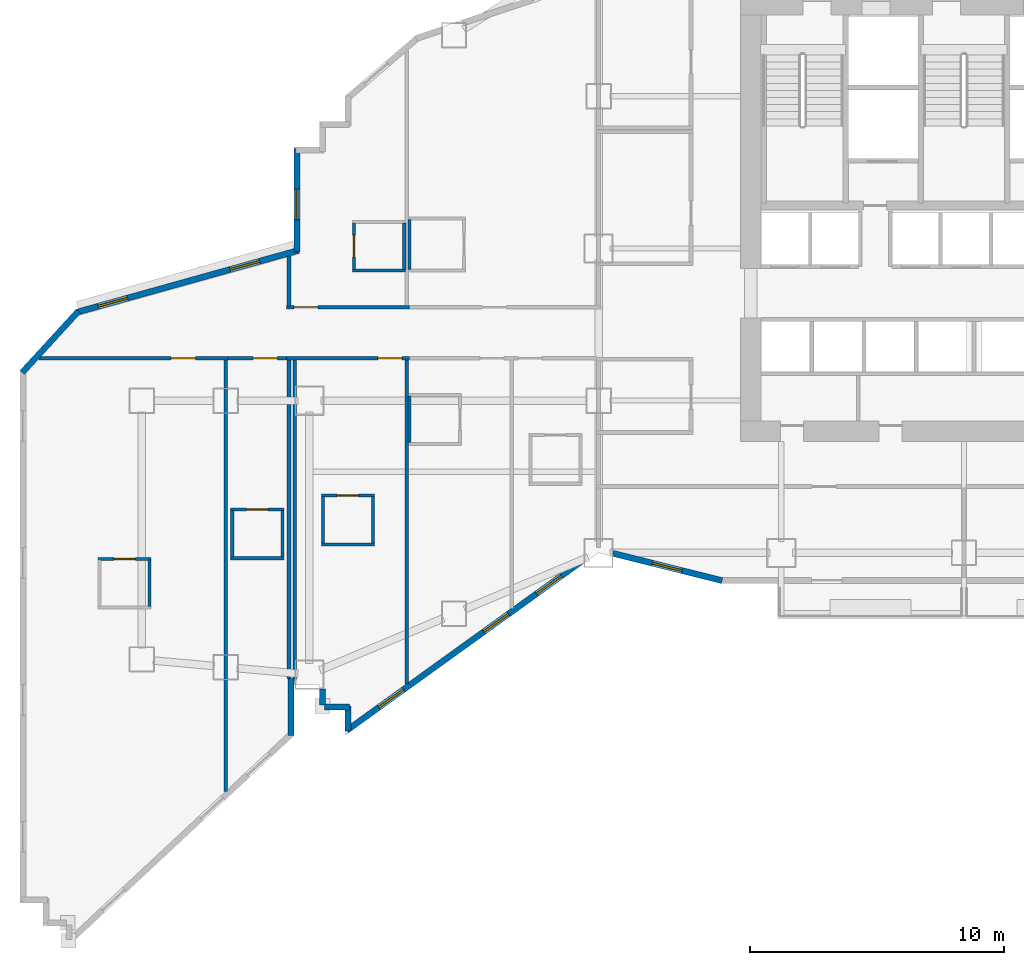
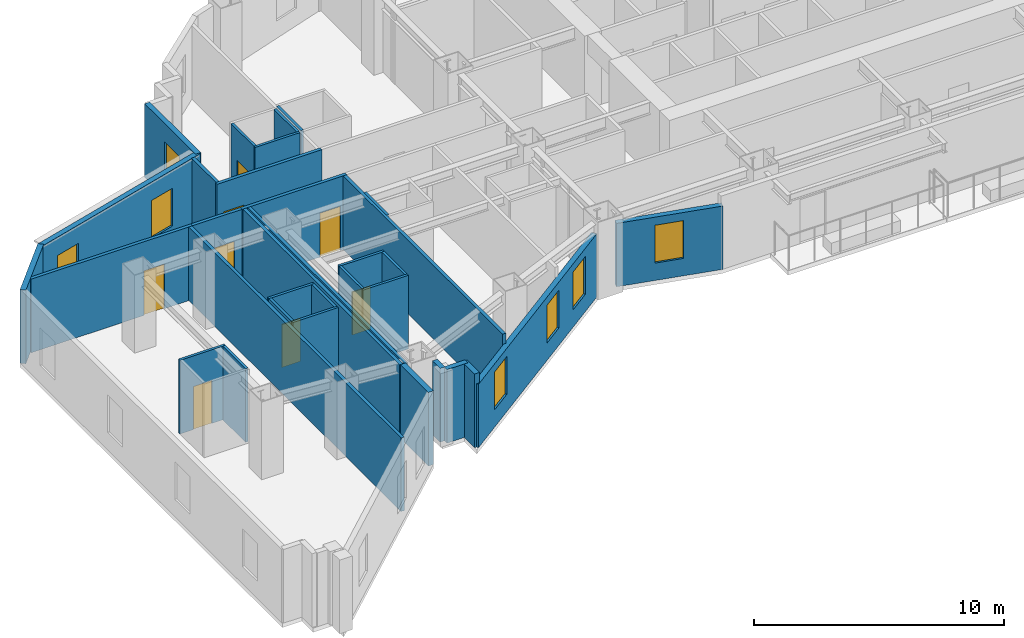
# One storey, part 7 of 16: 33 walls, 8 doors, 7 windows, 15 openings.
"""IFC4 building model written with IfcOpenShell, lengths in metres."""

import ifcopenshell
import ifcopenshell.guid

model = None  # the IFC model being written
_history = None  # IfcOwnerHistory: only IFC2X3 demands one
_inside = {}  # id of a spatial element -> (the spatial element, [elements in it])
_under = {}  # id of a project, library or spatial element -> (it, [spatial elements below it])
_declared = {}  # id of a project -> (the project, [libraries it declares])
_typed = {}  # id of a type object -> (the type object, [elements of that type])
_made_of = {}  # id of a material, layer set ... -> (it, [elements and type objects made of it])


def new_model(schema):
    """Start an empty IFC model of exactly this schema.

    Asked for "IFC4X3", IfcOpenShell would pick the latest addendum, in which some entities
    have other attributes; the version numbers below select the first issue.
    IFC2X3 requires an IfcOwnerHistory on every rooted entity: one is made here for all.
    """
    global model, _history
    if schema == "IFC4X3":
        model = ifcopenshell.file(schema_version=(4, 3, 0, 0))
    else:
        model = ifcopenshell.file(schema=schema)
    _inside.clear()
    _under.clear()
    _declared.clear()
    _typed.clear()
    _made_of.clear()
    _history = None
    if model.schema == "IFC2X3":
        org = make("IfcOrganization", Name="unknown")
        user = make(
            "IfcPersonAndOrganization",
            ThePerson=make("IfcPerson", FamilyName="unknown"),
            TheOrganization=org,
        )
        app = make(
            "IfcApplication",
            ApplicationDeveloper=org,
            Version="unknown",
            ApplicationFullName="unknown",
            ApplicationIdentifier="unknown",
        )
        _history = make(
            "IfcOwnerHistory",
            OwningUser=user,
            OwningApplication=app,
            ChangeAction="ADDED",
            CreationDate=0,
        )
    return model


def make(cls, **values):
    """One entity of the class cls with the attributes given. An attribute that is None is left unset."""
    return model.create_entity(
        cls, **{name: value for name, value in values.items() if value is not None}
    )


def rooted(cls, **values):
    """An entity with a GlobalId (a new one), such as an element, a storey or a relation."""
    return make(cls, GlobalId=ifcopenshell.guid.new(), OwnerHistory=_history, **values)


def si_unit(unit_type, name, prefix=None):
    """IfcSIUnit, for example si_unit("LENGTHUNIT", "METRE", prefix="MILLI")."""
    return make("IfcSIUnit", UnitType=unit_type, Prefix=prefix, Name=name)


def assignment(units):
    """IfcUnitAssignment: the units of a project."""
    return None if units is None else make("IfcUnitAssignment", Units=units)


def point(xyz):
    """IfcCartesianPoint."""
    return None if xyz is None else make("IfcCartesianPoint", Coordinates=xyz)


def direction(xyz):
    """IfcDirection."""
    return None if xyz is None else make("IfcDirection", DirectionRatios=xyz)


def frame(location, z_axis=None, x_axis=None):
    """IfcAxis2Placement3D, a coordinate frame: its origin and axes. An axis left out is left unset."""
    return make(
        "IfcAxis2Placement3D",
        Location=point(location),
        Axis=direction(z_axis),
        RefDirection=direction(x_axis),
    )


def frame_2d(location, x_axis=None):
    """IfcAxis2Placement2D, a coordinate frame in the plane: its origin and x axis."""
    return make(
        "IfcAxis2Placement2D", Location=point(location), RefDirection=direction(x_axis)
    )


def origin():
    """The frame at (0, 0, 0) with its axes left unset."""
    return frame((0.0, 0.0, 0.0))


def place(relative_to, where):
    """IfcLocalPlacement: puts the frame where relative to a parent placement (None: the world)."""
    return make(
        "IfcLocalPlacement", PlacementRelTo=relative_to, RelativePlacement=where
    )


def context(
    kind, dimensions, precision=None, world=None, true_north=None, identifier=None
):
    """IfcGeometricRepresentationContext, for example the 3D "Model" context."""
    return make(
        "IfcGeometricRepresentationContext",
        ContextIdentifier=identifier,
        ContextType=kind,
        CoordinateSpaceDimension=dimensions,
        Precision=precision,
        WorldCoordinateSystem=world,
        TrueNorth=true_north,
    )


def subcontext(parent, identifier, kind, view, scale=None):
    """IfcGeometricRepresentationSubContext, for example "Body" below "Model"."""
    return make(
        "IfcGeometricRepresentationSubContext",
        ContextIdentifier=identifier,
        ContextType=kind,
        ParentContext=parent,
        TargetScale=scale,
        TargetView=view,
    )


def project(units=None, contexts=None):
    """IfcProject with its units and contexts."""
    return rooted(
        "IfcProject",
        Name="project",
        RepresentationContexts=contexts,
        UnitsInContext=assignment(units),
    )


def spatial(cls, under=None, at=None, **own):
    """A site, building, storey or space (cls), placed at a placement, below another one or the project."""
    s = rooted(cls, ObjectPlacement=at, **own)
    if under is not None:
        _under.setdefault(under.id(), (under, []))[1].append(s)
    return s


def profile(cls, at=None, kind="AREA", **sizes):
    """A parametric profile (cls). Its sizes go by their IFC names, for example OverallWidth=200.0."""
    return make(cls, ProfileType=kind, Position=at, **sizes)


def rectangle(**sizes):
    """IfcRectangleProfileDef."""
    return profile("IfcRectangleProfileDef", **sizes)


def extrude(swept, where, along, depth):
    """IfcExtrudedAreaSolid: the profile swept, set in the frame where, extruded along a direction by depth."""
    return make(
        "IfcExtrudedAreaSolid",
        SweptArea=swept,
        Position=where,
        ExtrudedDirection=direction(along),
        Depth=depth,
    )


def shape(context_of_items, identifier, shape_type, items):
    """IfcShapeRepresentation: the items that make up one representation, for example the "Body"."""
    return make(
        "IfcShapeRepresentation",
        ContextOfItems=context_of_items,
        RepresentationIdentifier=identifier,
        RepresentationType=shape_type,
        Items=items,
    )


def material(Name=None, Category=None):
    """IfcMaterial."""
    return make("IfcMaterial", Name=Name, Category=Category)


def layer(
    of_material, thickness, ventilated=None, Name=None, Category=None, Priority=None
):
    """IfcMaterialLayer: one layer of a wall or slab, of a material (None: an air gap)."""
    return make(
        "IfcMaterialLayer",
        Material=of_material,
        LayerThickness=thickness,
        IsVentilated=ventilated,
        Name=Name,
        Category=Category,
        Priority=Priority,
    )


def layer_set(layers, Name=None):
    """IfcMaterialLayerSet."""
    return make("IfcMaterialLayerSet", MaterialLayers=layers, LayerSetName=Name)


def made_of(thing, what):
    """Note that an element or type object is made of a material, layer set ...; save() writes the relation."""
    if what is not None:
        _made_of.setdefault(what.id(), (what, []))[1].append(thing)
    return thing


def type_object(cls, material=None, **own):
    """A type object (cls), such as IfcWallType, which elements share."""
    return made_of(rooted(cls, **own), material)


def element(
    cls,
    number,
    at=None,
    inside=None,
    cuts=None,
    type_object=None,
    material=None,
    context=None,
    identifier="Body",
    shape_type=None,
    held_by="IfcProductDefinitionShape",
    body=None,
    shapes=None,
    **own,
):
    """One element of the class cls, such as IfcWall. Its Tag is "e" and its number.

    at: its placement. inside: the storey or other place that contains it. cuts: it is an
    opening in that element (IfcRelVoidsElement). A single representation is given by context,
    identifier, shape_type and body (its items); several are given by shapes. held_by: the class
    of the entity that holds the representations. save() writes the other relations.
    """
    e = rooted(cls, Tag="e%d" % number, ObjectPlacement=at, **own)
    if body is not None:
        shapes = [shape(context, identifier, shape_type, body)]
    if shapes is not None:
        e.Representation = make(held_by, Representations=shapes)
    if inside is not None:
        _inside.setdefault(inside.id(), (inside, []))[1].append(e)
    if cuts is not None:
        rooted(
            "IfcRelVoidsElement", RelatingBuildingElement=cuts, RelatedOpeningElement=e
        )
    if type_object is not None:
        _typed.setdefault(type_object.id(), (type_object, []))[1].append(e)
    return made_of(e, material)


def fill(opening, filler):
    """IfcRelFillsElement: the door or window that sits in an opening."""
    return rooted(
        "IfcRelFillsElement",
        RelatingOpeningElement=opening,
        RelatedBuildingElement=filler,
    )


def aggregate(whole, parts):
    """IfcRelAggregates: a whole, such as a stair, and the parts it consists of."""
    return rooted("IfcRelAggregates", RelatingObject=whole, RelatedObjects=parts)


def save(model, path):
    """Write the relations noted so far, then the file.

    IfcRelAggregates (storeys below a building ...), IfcRelContainedInSpatialStructure (elements
    in a storey), IfcRelDefinesByType, IfcRelAssociatesMaterial and IfcRelDeclares: one each for
    every whole, place, type object, material and project.
    """
    for whole, parts in _under.values():
        aggregate(whole, parts)
    for where, things in _inside.values():
        rooted(
            "IfcRelContainedInSpatialStructure",
            RelatedElements=things,
            RelatingStructure=where,
        )
    for kind, things in _typed.values():
        rooted("IfcRelDefinesByType", RelatedObjects=things, RelatingType=kind)
    for what, things in _made_of.values():
        rooted("IfcRelAssociatesMaterial", RelatedObjects=things, RelatingMaterial=what)
    for by, libraries in _declared.values():
        rooted("IfcRelDeclares", RelatingContext=by, RelatedDefinitions=libraries)
    model.write(path)


model = new_model("IFC4")

# Units and contexts
model_context = context("Model", 3, precision=1e-05, world=origin(), true_north=direction((0.0, 1.0)))
body_context = subcontext(model_context, "Body", "Model", "MODEL_VIEW")
ifc_project = project(units=[si_unit("LENGTHUNIT", "METRE"), si_unit("AREAUNIT", "SQUARE_METRE"), si_unit("VOLUMEUNIT", "CUBIC_METRE"), si_unit("PLANEANGLEUNIT", "RADIAN"), si_unit("MASSUNIT", "GRAM", prefix="KILO")], contexts=[model_context])

# Site, building, storey
site_placement = place(None, origin())
site = spatial("IfcSite", under=ifc_project, at=site_placement, CompositionType="ELEMENT")
building_placement = place(site_placement, origin())
building = spatial("IfcBuilding", under=site, at=building_placement, Name="Haolan Belvedere Tower", CompositionType="ELEMENT")
storey_placement = place(building_placement, frame((0.0, 0.0, 62.800048828125)))
storey = spatial("IfcBuildingStorey", under=building, at=storey_placement, Name="L15", CompositionType="ELEMENT", Elevation=62.800048828125)

# Walls
ifc_material_1 = material(Name="Precast concrete C40/50", Category="concrete")
ifc_layer_1 = layer(ifc_material_1, 0.239990234375, Name="Precast concrete C40/50")
ifc_layer_set_1 = layer_set([ifc_layer_1], Name="Precast concrete C40/50")
wall_type_1 = type_object("IfcWallType", Name="WL-EXT-240", PredefinedType="SOLIDWALL", material=ifc_layer_set_1)
wall_1_placement = place(storey_placement, frame((11.8798828125, 14.397216796875, 0.0), z_axis=(0.0, 0.0, 1.0), x_axis=(0.0, 1.0, 0.0)))
element("IfcWall", 1, at=wall_1_placement, inside=storey, type_object=wall_type_1, Name="L15 pale-metal exterior spandrel wall 6.1", PredefinedType="SOLIDWALL", context=body_context, shape_type="SweptSolid", body=[
    extrude(rectangle(XDim=2.24267578125, YDim=0.239990234375, at=frame_2d((1.121337890625, 0.0))), origin(), (0.0, 0.0, 1.0), 3.599853515625),
])
wall_2_placement = place(storey_placement, frame((13.1201171875, 16.23291015625, 0.0), z_axis=(0.0, 0.0, 1.0), x_axis=(0.0, -1.0, 0.0)))
element("IfcWall", 2, at=wall_2_placement, inside=storey, type_object=wall_type_1, Name="L15 pale-metal exterior spandrel wall 8.1", PredefinedType="SOLIDWALL", context=body_context, shape_type="SweptSolid", body=[
    extrude(rectangle(XDim=0.6279296875, YDim=0.239990234375, at=frame_2d((0.31396484375, 0.0))), origin(), (0.0, 0.0, 1.0), 3.599853515625),
])
wall_3_placement = place(storey_placement, frame((13.205078125, 15.52001953125, 0.0), z_axis=(0.0, 0.0, 1.0), x_axis=(1.0, 0.0, 0.0)))
element("IfcWall", 3, at=wall_3_placement, inside=storey, type_object=wall_type_1, Name="L15 pale-metal exterior spandrel wall 9.1", PredefinedType="SOLIDWALL", context=body_context, shape_type="SweptSolid", body=[
    extrude(rectangle(XDim=0.969970703125, YDim=0.239990234375, at=frame_2d((0.48486328125, 0.0))), origin(), (0.0, 0.0, 1.0), 3.599853515625),
])
wall_4_placement = place(storey_placement, frame((14.1201171875, 15.574951171875, 0.0), z_axis=(0.0, 0.0, 1.0), x_axis=(0.0, -1.0, 0.0)))
element("IfcWall", 4, at=wall_4_placement, inside=storey, type_object=wall_type_1, Name="L15 pale-metal exterior spandrel wall 10.1", PredefinedType="SOLIDWALL", context=body_context, shape_type="SweptSolid", body=[
    extrude(rectangle(XDim=0.99560546875, YDim=0.239990234375, at=frame_2d((0.497802734375, 0.0))), origin(), (0.0, 0.0, 1.0), 3.599853515625),
])

# Wall, openings, windows
wall_5_placement = place(storey_placement, frame((14.075439453125, 14.602294921875, 0.0), z_axis=(0.0, 0.0, 1.0), x_axis=(0.811543176492, 0.58429245476, 0.0)))
wall_5 = element("IfcWall", 5, at=wall_5_placement, inside=storey, type_object=wall_type_1, Name="L15 pale-metal exterior spandrel wall 11.1", PredefinedType="SOLIDWALL", context=body_context, shape_type="SweptSolid", body=[
    extrude(rectangle(XDim=11.53076171875, YDim=0.239990234375, at=frame_2d((5.765380859375, 0.0))), origin(), (0.0, 0.0, 1.0), 3.096923828125),
])
opening_1_placement = place(wall_5_placement, frame((1.55419921875, 0.0, 0.85009765625)))
opening_1 = element("IfcOpeningElement", 6, at=opening_1_placement, cuts=wall_5, Name="Opening W-01", PredefinedType="OPENING", context=body_context, shape_type="SweptSolid", body=[
    extrude(rectangle(XDim=1.199951171875, YDim=1.85009765625, at=frame_2d((0.60009765625, 0.925048828125))), frame((0.0, 0.1298828125, 0.0), z_axis=(0.0, -1.0, 0.0), x_axis=(1.0, 0.0, 0.0)), (0.0, 0.0, 1.0), 0.260009765625),
])
opening_2_placement = place(wall_5_placement, frame((6.65576171875, 0.0, 0.85009765625)))
opening_2 = element("IfcOpeningElement", 7, at=opening_2_placement, cuts=wall_5, Name="Opening W-01", PredefinedType="OPENING", context=body_context, shape_type="SweptSolid", body=[
    extrude(rectangle(XDim=1.199951171875, YDim=1.85009765625, at=frame_2d((0.60009765625, 0.925048828125))), frame((0.0, 0.1298828125, 0.0), z_axis=(0.0, -1.0, 0.0), x_axis=(1.0, 0.0, 0.0)), (0.0, 0.0, 1.0), 0.260009765625),
])
opening_3_placement = place(wall_5_placement, frame((9.217529296875, 0.0, 0.85009765625)))
opening_3 = element("IfcOpeningElement", 8, at=opening_3_placement, cuts=wall_5, Name="Opening W-01", PredefinedType="OPENING", context=body_context, shape_type="SweptSolid", body=[
    extrude(rectangle(XDim=1.199951171875, YDim=1.85009765625, at=frame_2d((0.60009765625, 0.925048828125))), frame((0.0, 0.1298828125, 0.0), z_axis=(0.0, -1.0, 0.0), x_axis=(1.0, 0.0, 0.0)), (0.0, 0.0, 1.0), 0.260009765625),
])
ifc_material_2 = material(Name="Anodised aluminium 6063-T6 and Low-E glass", Category="aluminium")
window_type = type_object("IfcWindowType", Name="WN-DECO-Z1", PartitioningType="SINGLE_PANEL", PredefinedType="WINDOW", material=ifc_material_2)
window_1_placement = place(opening_1_placement, origin())
window_1 = element("IfcWindow", 9, at=window_1_placement, inside=storey, type_object=window_type, Name="L15 Art Deco chevron window 1", OverallHeight=1.85009765625, OverallWidth=1.199951171875, PartitioningType="SINGLE_PANEL", PredefinedType="WINDOW", context=body_context, shape_type="SweptSolid", body=[
    extrude(rectangle(XDim=1.199951171875, YDim=1.85009765625, at=frame_2d((0.60009765625, 0.925048828125))), frame((0.0, 0.030029296875, 0.0), z_axis=(0.0, -1.0, 0.0), x_axis=(1.0, 0.0, 0.0)), (0.0, 0.0, 1.0), 0.06005859375),
])
fill(opening_1, window_1)
window_2_placement = place(opening_2_placement, origin())
window_2 = element("IfcWindow", 10, at=window_2_placement, inside=storey, type_object=window_type, Name="L15 Art Deco chevron window 2", OverallHeight=1.85009765625, OverallWidth=1.199951171875, PartitioningType="SINGLE_PANEL", PredefinedType="WINDOW", context=body_context, shape_type="SweptSolid", body=[
    extrude(rectangle(XDim=1.199951171875, YDim=1.85009765625, at=frame_2d((0.60009765625, 0.925048828125))), frame((0.0, 0.030029296875, 0.0), z_axis=(0.0, -1.0, 0.0), x_axis=(1.0, 0.0, 0.0)), (0.0, 0.0, 1.0), 0.06005859375),
])
fill(opening_2, window_2)
window_3_placement = place(opening_3_placement, origin())
window_3 = element("IfcWindow", 11, at=window_3_placement, inside=storey, type_object=window_type, Name="L15 Art Deco guestroom window 1", OverallHeight=1.85009765625, OverallWidth=1.199951171875, PartitioningType="SINGLE_PANEL", PredefinedType="WINDOW", context=body_context, shape_type="SweptSolid", body=[
    extrude(rectangle(XDim=1.199951171875, YDim=1.85009765625, at=frame_2d((0.60009765625, 0.925048828125))), frame((0.0, 0.030029296875, 0.0), z_axis=(0.0, -1.0, 0.0), x_axis=(1.0, 0.0, 0.0)), (0.0, 0.0, 1.0), 0.06005859375),
])
fill(opening_3, window_3)

# Wall, opening, window
wall_6_placement = place(storey_placement, frame((24.56689453125, 21.581787109375, 0.0), z_axis=(0.0, 0.0, 1.0), x_axis=(0.970148978127, -0.24250971164, 0.0)))
wall_6 = element("IfcWall", 12, at=wall_6_placement, inside=storey, type_object=wall_type_1, Name="L15 pale-metal exterior spandrel wall 12.1", PredefinedType="SOLIDWALL", context=body_context, shape_type="SweptSolid", body=[
    extrude(rectangle(XDim=4.43359375, YDim=0.239990234375, at=frame_2d((2.216796875, 0.0))), origin(), (0.0, 0.0, 1.0), 3.096923828125),
])
opening_4_placement = place(wall_6_placement, frame((1.60009765625, 0.0, 0.85009765625)))
opening_4 = element("IfcOpeningElement", 13, at=opening_4_placement, cuts=wall_6, Name="Opening W-01", PredefinedType="OPENING", context=body_context, shape_type="SweptSolid", body=[
    extrude(rectangle(XDim=1.199951171875, YDim=1.85009765625, at=frame_2d((0.60009765625, 0.925048828125))), frame((0.0, 0.1298828125, 0.0), z_axis=(0.0, -1.0, 0.0), x_axis=(1.0, 0.0, 0.0)), (0.0, 0.0, 1.0), 0.260009765625),
])
window_4_placement = place(opening_4_placement, origin())
window_4 = element("IfcWindow", 14, at=window_4_placement, inside=storey, type_object=window_type, Name="L15 Art Deco chevron window 1", OverallHeight=1.85009765625, OverallWidth=1.199951171875, PartitioningType="SINGLE_PANEL", PredefinedType="WINDOW", context=body_context, shape_type="SweptSolid", body=[
    extrude(rectangle(XDim=1.199951171875, YDim=1.85009765625, at=frame_2d((0.60009765625, 0.925048828125))), frame((0.0, 0.030029296875, 0.0), z_axis=(0.0, -1.0, 0.0), x_axis=(1.0, 0.0, 0.0)), (0.0, 0.0, 1.0), 0.06005859375),
])
fill(opening_4, window_4)

wall_7_placement = place(storey_placement, frame((12.1201171875, 37.534912109375, 0.0), z_axis=(0.0, 0.0, 1.0), x_axis=(0.0, -1.0, 0.0)))
wall_7 = element("IfcWall", 15, at=wall_7_placement, inside=storey, type_object=wall_type_1, Name="L15 pale-metal exterior spandrel wall 56.1", PredefinedType="SOLIDWALL", context=body_context, shape_type="SweptSolid", body=[
    extrude(rectangle(XDim=4.0810546875, YDim=0.239990234375, at=frame_2d((2.04052734375, 0.0))), origin(), (0.0, 0.0, 1.0), 3.599853515625),
])
opening_5_placement = place(wall_7_placement, frame((1.60009765625, 0.0, 0.85009765625)))
opening_5 = element("IfcOpeningElement", 16, at=opening_5_placement, cuts=wall_7, Name="Opening W-01", PredefinedType="OPENING", context=body_context, shape_type="SweptSolid", body=[
    extrude(rectangle(XDim=1.199951171875, YDim=1.85009765625, at=frame_2d((0.60009765625, 0.925048828125))), frame((0.0, 0.1298828125, 0.0), z_axis=(0.0, -1.0, 0.0), x_axis=(1.0, 0.0, 0.0)), (0.0, 0.0, 1.0), 0.260009765625),
])
window_5_placement = place(opening_5_placement, origin())
window_5 = element("IfcWindow", 17, at=window_5_placement, inside=storey, type_object=window_type, Name="L15 Art Deco chevron window 1", OverallHeight=1.85009765625, OverallWidth=1.199951171875, PartitioningType="SINGLE_PANEL", PredefinedType="WINDOW", context=body_context, shape_type="SweptSolid", body=[
    extrude(rectangle(XDim=1.199951171875, YDim=1.85009765625, at=frame_2d((0.60009765625, 0.925048828125))), frame((0.0, 0.030029296875, 0.0), z_axis=(0.0, -1.0, 0.0), x_axis=(1.0, 0.0, 0.0)), (0.0, 0.0, 1.0), 0.06005859375),
])
fill(opening_5, window_5)

# Wall, openings, windows
wall_8_placement = place(storey_placement, frame((12.173095703125, 33.523681640625, 0.0), z_axis=(0.0, 0.0, 1.0), x_axis=(-0.963197271032, -0.268795493036, 0.0)))
wall_8 = element("IfcWall", 18, at=wall_8_placement, inside=storey, type_object=wall_type_1, Name="L15 pale-metal exterior spandrel wall 57.1", PredefinedType="SOLIDWALL", context=body_context, shape_type="SweptSolid", body=[
    extrude(rectangle(XDim=9.095458984375, YDim=0.239990234375, at=frame_2d((4.5478515625, 0.0))), origin(), (0.0, 0.0, 1.0), 3.599853515625),
])
opening_6_placement = place(wall_8_placement, frame((1.60009765625, 0.0, 0.85009765625)))
opening_6 = element("IfcOpeningElement", 19, at=opening_6_placement, cuts=wall_8, Name="Opening W-01", PredefinedType="OPENING", context=body_context, shape_type="SweptSolid", body=[
    extrude(rectangle(XDim=1.199951171875, YDim=1.85009765625, at=frame_2d((0.60009765625, 0.925048828125))), frame((0.0, 0.1298828125, 0.0), z_axis=(0.0, -1.0, 0.0), x_axis=(1.0, 0.0, 0.0)), (0.0, 0.0, 1.0), 0.260009765625),
])
opening_7_placement = place(wall_8_placement, frame((7.0, 0.0, 0.85009765625)))
opening_7 = element("IfcOpeningElement", 20, at=opening_7_placement, cuts=wall_8, Name="Opening W-01", PredefinedType="OPENING", context=body_context, shape_type="SweptSolid", body=[
    extrude(rectangle(XDim=1.199951171875, YDim=1.85009765625, at=frame_2d((0.60009765625, 0.925048828125))), frame((0.0, 0.1298828125, 0.0), z_axis=(0.0, -1.0, 0.0), x_axis=(1.0, 0.0, 0.0)), (0.0, 0.0, 1.0), 0.260009765625),
])
window_6_placement = place(opening_6_placement, origin())
window_6 = element("IfcWindow", 21, at=window_6_placement, inside=storey, type_object=window_type, Name="L15 Art Deco chevron window 1", OverallHeight=1.85009765625, OverallWidth=1.199951171875, PartitioningType="SINGLE_PANEL", PredefinedType="WINDOW", context=body_context, shape_type="SweptSolid", body=[
    extrude(rectangle(XDim=1.199951171875, YDim=1.85009765625, at=frame_2d((0.60009765625, 0.925048828125))), frame((0.0, 0.030029296875, 0.0), z_axis=(0.0, -1.0, 0.0), x_axis=(1.0, 0.0, 0.0)), (0.0, 0.0, 1.0), 0.06005859375),
])
fill(opening_6, window_6)
window_7_placement = place(opening_7_placement, origin())
window_7 = element("IfcWindow", 22, at=window_7_placement, inside=storey, type_object=window_type, Name="L15 Art Deco chevron window 2", OverallHeight=1.85009765625, OverallWidth=1.199951171875, PartitioningType="SINGLE_PANEL", PredefinedType="WINDOW", context=body_context, shape_type="SweptSolid", body=[
    extrude(rectangle(XDim=1.199951171875, YDim=1.85009765625, at=frame_2d((0.60009765625, 0.925048828125))), frame((0.0, 0.030029296875, 0.0), z_axis=(0.0, -1.0, 0.0), x_axis=(1.0, 0.0, 0.0)), (0.0, 0.0, 1.0), 0.06005859375),
])
fill(opening_7, window_7)

# Wall
wall_9_placement = place(storey_placement, frame((3.50244140625, 31.134033203125, 0.0), z_axis=(0.0, 0.0, 1.0), x_axis=(-0.675781844312, -0.737101688302, 0.0)))
element("IfcWall", 23, at=wall_9_placement, inside=storey, type_object=wall_type_1, Name="L15 pale-metal exterior spandrel wall 58.1", PredefinedType="SOLIDWALL", context=body_context, shape_type="SweptSolid", body=[
    extrude(rectangle(XDim=3.28466796875, YDim=0.239990234375, at=frame_2d((1.642333984375, 0.0))), origin(), (0.0, 0.0, 1.0), 3.599853515625),
])

# Wall, opening, door
ifc_material_3 = material(Name="Double gypsum acoustic stud partition", Category="masonry")
ifc_layer_2 = layer(ifc_material_3, 0.14990234375, Name="Double gypsum acoustic stud partition")
ifc_layer_set_2 = layer_set([ifc_layer_2], Name="Double gypsum acoustic stud partition")
wall_type_2 = type_object("IfcWallType", Name="WL-PART-150", PredefinedType="PARTITIONING", material=ifc_layer_set_2)
wall_10_placement = place(storey_placement, frame((11.699951171875, 31.280029296875, 0.0), z_axis=(0.0, 0.0, 1.0), x_axis=(1.0, 0.0, 0.0)))
wall_10 = element("IfcWall", 24, at=wall_10_placement, inside=storey, type_object=wall_type_2, Name="L15 interior partition IW-L15-T2N1-S", PredefinedType="PARTITIONING", context=body_context, shape_type="SweptSolid", body=[
    extrude(rectangle(XDim=4.840087890625, YDim=0.14990234375, at=frame_2d((2.419921875, 0.0))), origin(), (0.0, 0.0, 1.0), 3.599853515625),
])
opening_8_placement = place(wall_10_placement, frame((0.28759765625, 0.0, 0.0)))
opening_8 = element("IfcOpeningElement", 25, at=opening_8_placement, cuts=wall_10, Name="Opening ID-02", PredefinedType="OPENING", context=body_context, shape_type="SweptSolid", body=[
    extrude(rectangle(XDim=0.949951171875, YDim=2.14990234375, at=frame_2d((0.47509765625, 1.074951171875))), frame((0.0, 0.0849609375, 0.0), z_axis=(0.0, -1.0, 0.0), x_axis=(1.0, 0.0, 0.0)), (0.0, 0.0, 1.0), 0.169921875),
])
ifc_material_4 = material(Name="Acoustic oak veneer fire-rated timber", Category="wood")
door_type_1 = type_object("IfcDoorType", Name="DR-GUEST-950", OperationType="NOTDEFINED", PredefinedType="DOOR", material=ifc_material_4)
door_1_placement = place(opening_8_placement, origin())
door_1 = element("IfcDoor", 26, at=door_1_placement, inside=storey, type_object=door_type_1, Name="L15 door ID-L15-T2N1-ENT", OperationType="SINGLE_SWING_LEFT", OverallHeight=2.14990234375, OverallWidth=0.949951171875, PredefinedType="DOOR", context=body_context, shape_type="SweptSolid", body=[
    extrude(rectangle(XDim=0.949951171875, YDim=2.14990234375, at=frame_2d((0.47509765625, 1.074951171875))), frame((0.0, 0.02490234375, 0.0), z_axis=(0.0, -1.0, 0.0), x_axis=(1.0, 0.0, 0.0)), (0.0, 0.0, 1.0), 0.050048828125),
])
fill(opening_8, door_1)

# Wall
wall_11_placement = place(storey_placement, frame((11.800048828125, 31.340087890625, 0.0), z_axis=(0.0, 0.0, 1.0), x_axis=(0.0, 1.0, 0.0)))
element("IfcWall", 27, at=wall_11_placement, inside=storey, type_object=wall_type_2, Name="L15 interior partition IW-L15-T2N1-W", PredefinedType="PARTITIONING", context=body_context, shape_type="SweptSolid", body=[
    extrude(rectangle(XDim=1.970458984375, YDim=0.14990234375, at=frame_2d((0.9853515625, 0.0))), origin(), (0.0, 0.0, 1.0), 3.599853515625),
])

# Wall, opening, door
wall_12_placement = place(storey_placement, frame((11.699951171875, 29.27001953125, 0.0), z_axis=(0.0, 0.0, 1.0), x_axis=(1.0, 0.0, 0.0)))
wall_12 = element("IfcWall", 28, at=wall_12_placement, inside=storey, type_object=wall_type_2, Name="L15 interior partition IW-L15-T2S1-N", PredefinedType="PARTITIONING", context=body_context, shape_type="SweptSolid", body=[
    extrude(rectangle(XDim=4.840087890625, YDim=0.14990234375, at=frame_2d((2.419921875, 0.0))), origin(), (0.0, 0.0, 1.0), 3.599853515625),
])
opening_9_placement = place(wall_12_placement, frame((4.552490234375, 0.0, 0.0), z_axis=(0.0, 0.0, 1.0), x_axis=(-1.0, 0.0, 0.0)))
opening_9 = element("IfcOpeningElement", 29, at=opening_9_placement, cuts=wall_12, Name="Opening ID-02", PredefinedType="OPENING", context=body_context, shape_type="SweptSolid", body=[
    extrude(rectangle(XDim=0.949951171875, YDim=2.14990234375, at=frame_2d((0.47509765625, 1.074951171875))), frame((0.0, 0.0849609375, 0.0), z_axis=(0.0, -1.0, 0.0), x_axis=(1.0, 0.0, 0.0)), (0.0, 0.0, 1.0), 0.169921875),
])
door_2_placement = place(opening_9_placement, origin())
door_2 = element("IfcDoor", 30, at=door_2_placement, inside=storey, type_object=door_type_1, Name="L15 door ID-L15-T2S1-ENT", OperationType="SINGLE_SWING_LEFT", OverallHeight=2.14990234375, OverallWidth=0.949951171875, PredefinedType="DOOR", context=body_context, shape_type="SweptSolid", body=[
    extrude(rectangle(XDim=0.949951171875, YDim=2.14990234375, at=frame_2d((0.47509765625, 1.074951171875))), frame((0.0, 0.02490234375, 0.0), z_axis=(0.0, -1.0, 0.0), x_axis=(1.0, 0.0, 0.0)), (0.0, 0.0, 1.0), 0.050048828125),
])
fill(opening_9, door_2)

# Walls
wall_13_placement = place(storey_placement, frame((11.800048828125, 16.64208984375, 0.0), z_axis=(0.0, 0.0, 1.0), x_axis=(0.0, 1.0, 0.0)))
element("IfcWall", 31, at=wall_13_placement, inside=storey, type_object=wall_type_2, Name="L15 interior partition IW-L15-T2S1-W", PredefinedType="PARTITIONING", context=body_context, shape_type="SweptSolid", body=[
    extrude(rectangle(XDim=12.56787109375, YDim=0.14990234375, at=frame_2d((6.283935546875, 0.0))), origin(), (0.0, 0.0, 1.0), 3.599853515625),
])
wall_14_placement = place(storey_placement, frame((16.43994140625, 16.43408203125, 0.0), z_axis=(0.0, 0.0, 1.0), x_axis=(0.0, 1.0, 0.0)))
element("IfcWall", 32, at=wall_14_placement, inside=storey, type_object=wall_type_2, Name="L15 interior partition IW-L15-T2S1-E", PredefinedType="PARTITIONING", context=body_context, shape_type="SweptSolid", body=[
    extrude(rectangle(XDim=12.77587890625, YDim=0.14990234375, at=frame_2d((6.387939453125, 0.0))), origin(), (0.0, 0.0, 1.0), 3.599853515625),
])

# Wall, opening, door
wall_15_placement = place(storey_placement, frame((1.93603515625, 29.27001953125, 0.0), z_axis=(0.0, 0.0, 1.0), x_axis=(1.0, 0.0, 0.0)))
wall_15 = element("IfcWall", 33, at=wall_15_placement, inside=storey, type_object=wall_type_2, Name="L15 interior partition IW-L15-T1S1-N", PredefinedType="PARTITIONING", context=body_context, shape_type="SweptSolid", body=[
    extrude(rectangle(XDim=7.4638671875, YDim=0.14990234375, at=frame_2d((3.73193359375, 0.0))), origin(), (0.0, 0.0, 1.0), 3.599853515625),
])
opening_10_placement = place(wall_15_placement, frame((6.16796875, 0.0, 0.0), z_axis=(0.0, 0.0, 1.0), x_axis=(-1.0, 0.0, 0.0)))
opening_10 = element("IfcOpeningElement", 34, at=opening_10_placement, cuts=wall_15, Name="Opening ID-01", PredefinedType="OPENING", context=body_context, shape_type="SweptSolid", body=[
    extrude(rectangle(XDim=0.949951171875, YDim=2.179931640625, at=frame_2d((0.47509765625, 1.08984375))), frame((0.0, 0.0849609375, 0.0), z_axis=(0.0, -1.0, 0.0), x_axis=(1.0, 0.0, 0.0)), (0.0, 0.0, 1.0), 0.169921875),
])
ifc_material_5 = material(Name="Acoustic walnut veneer fire-rated timber", Category="wood")
door_type_2 = type_object("IfcDoorType", Name="DR-SUITE-950", OperationType="NOTDEFINED", PredefinedType="DOOR", material=ifc_material_5)
door_3_placement = place(opening_10_placement, origin())
door_3 = element("IfcDoor", 35, at=door_3_placement, inside=storey, type_object=door_type_2, Name="L15 door ID-L15-T1S1-ENT", OperationType="SINGLE_SWING_LEFT", OverallHeight=2.179931640625, OverallWidth=0.949951171875, PredefinedType="DOOR", context=body_context, shape_type="SweptSolid", body=[
    extrude(rectangle(XDim=0.949951171875, YDim=2.179931640625, at=frame_2d((0.47509765625, 1.08984375))), frame((0.0, 0.02490234375, 0.0), z_axis=(0.0, -1.0, 0.0), x_axis=(1.0, 0.0, 0.0)), (0.0, 0.0, 1.0), 0.050048828125),
])
fill(opening_10, door_3)

# Wall
wall_16_placement = place(storey_placement, frame((9.300048828125, 12.187744140625, 0.0), z_axis=(0.0, 0.0, 1.0), x_axis=(0.0, 1.0, 0.0)))
element("IfcWall", 36, at=wall_16_placement, inside=storey, type_object=wall_type_2, Name="L15 interior partition IW-L15-T1S1-E", PredefinedType="PARTITIONING", context=body_context, shape_type="SweptSolid", body=[
    extrude(rectangle(XDim=17.022216796875, YDim=0.14990234375, at=frame_2d((8.51123046875, 0.0))), origin(), (0.0, 0.0, 1.0), 3.599853515625),
])

# Wall, opening, door
wall_17_placement = place(storey_placement, frame((9.402099609375, 29.27001953125, 0.0), z_axis=(0.0, 0.0, 1.0), x_axis=(1.0, 0.0, 0.0)))
wall_17 = element("IfcWall", 37, at=wall_17_placement, inside=storey, type_object=wall_type_2, Name="L15 interior partition IW-L15-T1S2-N", PredefinedType="PARTITIONING", context=body_context, shape_type="SweptSolid", body=[
    extrude(rectangle(XDim=2.2958984375, YDim=0.14990234375, at=frame_2d((1.14794921875, 0.0))), origin(), (0.0, 0.0, 1.0), 3.599853515625),
])
opening_11_placement = place(wall_17_placement, frame((1.93408203125, 0.0, 0.0), z_axis=(0.0, 0.0, 1.0), x_axis=(-1.0, 0.0, 0.0)))
opening_11 = element("IfcOpeningElement", 38, at=opening_11_placement, cuts=wall_17, Name="Opening ID-02", PredefinedType="OPENING", context=body_context, shape_type="SweptSolid", body=[
    extrude(rectangle(XDim=0.949951171875, YDim=2.14990234375, at=frame_2d((0.47509765625, 1.074951171875))), frame((0.0, 0.0849609375, 0.0), z_axis=(0.0, -1.0, 0.0), x_axis=(1.0, 0.0, 0.0)), (0.0, 0.0, 1.0), 0.169921875),
])
door_4_placement = place(opening_11_placement, origin())
door_4 = element("IfcDoor", 39, at=door_4_placement, inside=storey, type_object=door_type_1, Name="L15 door ID-L15-T1S2-ENT", OperationType="SINGLE_SWING_RIGHT", OverallHeight=2.14990234375, OverallWidth=0.949951171875, PredefinedType="DOOR", context=body_context, shape_type="SweptSolid", body=[
    extrude(rectangle(XDim=0.949951171875, YDim=2.14990234375, at=frame_2d((0.47509765625, 1.074951171875))), frame((0.0, 0.02490234375, 0.0), z_axis=(0.0, -1.0, 0.0), x_axis=(1.0, 0.0, 0.0)), (0.0, 0.0, 1.0), 0.050048828125),
])
fill(opening_11, door_4)

# Walls
wall_18_placement = place(storey_placement, frame((12.02001953125, 16.612060546875, 0.0), z_axis=(0.0, 0.0, 1.0), x_axis=(0.0, 1.0, 0.0)))
element("IfcWall", 40, at=wall_18_placement, inside=storey, type_object=wall_type_2, Name="L15 interior partition IW-L15-T1S2-E", PredefinedType="PARTITIONING", context=body_context, shape_type="SweptSolid", body=[
    extrude(rectangle(XDim=12.597900390625, YDim=0.14990234375, at=frame_2d((6.298828125, 0.0))), origin(), (0.0, 0.0, 1.0), 3.599853515625),
])
ifc_material_6 = material(Name="Moisture-resistant gypsum tile partition", Category="masonry")
ifc_layer_3 = layer(ifc_material_6, 0.1201171875, Name="Moisture-resistant gypsum tile partition")
ifc_layer_set_3 = layer_set([ifc_layer_3], Name="Moisture-resistant gypsum tile partition")
wall_type_3 = type_object("IfcWallType", Name="WL-WET-120", PredefinedType="PARTITIONING", material=ifc_layer_set_3)
wall_19_placement = place(storey_placement, frame((14.300048828125, 32.72998046875, 0.0), z_axis=(0.0, 0.0, 1.0), x_axis=(1.0, 0.0, 0.0)))
element("IfcWall", 41, at=wall_19_placement, inside=storey, type_object=wall_type_3, Name="L15 interior partition IW-L15-T2N1-BS", PredefinedType="PARTITIONING", context=body_context, shape_type="SweptSolid", body=[
    extrude(rectangle(XDim=2.079833984375, YDim=0.1201171875, at=frame_2d((1.0400390625, 0.0))), origin(), (0.0, 0.0, 1.0), 3.599853515625),
])

# Wall, opening, door
wall_20_placement = place(storey_placement, frame((14.360107421875, 32.77490234375, 0.0), z_axis=(0.0, 0.0, 1.0), x_axis=(0.0, 1.0, 0.0)))
wall_20 = element("IfcWall", 42, at=wall_20_placement, inside=storey, type_object=wall_type_3, Name="L15 interior partition IW-L15-T2N1-BW", PredefinedType="PARTITIONING", context=body_context, shape_type="SweptSolid", body=[
    extrude(rectangle(XDim=1.830078125, YDim=0.1201171875, at=frame_2d((0.9150390625, 0.0))), origin(), (0.0, 0.0, 1.0), 3.599853515625),
])
opening_12_placement = place(wall_20_placement, frame((1.340087890625, 0.0, 0.0), z_axis=(0.0, 0.0, 1.0), x_axis=(-1.0, 0.0, 0.0)))
opening_12 = element("IfcOpeningElement", 43, at=opening_12_placement, cuts=wall_20, Name="Opening ID-05", PredefinedType="OPENING", context=body_context, shape_type="SweptSolid", body=[
    extrude(rectangle(XDim=0.85009765625, YDim=2.10009765625, at=frame_2d((0.425048828125, 1.050048828125))), frame((0.0, 0.070068359375, 0.0), z_axis=(0.0, -1.0, 0.0), x_axis=(1.0, 0.0, 0.0)), (0.0, 0.0, 1.0), 0.14013671875),
])
ifc_material_7 = material(Name="Moisture-resistant lacquered timber", Category="wood")
door_type_3 = type_object("IfcDoorType", Name="DR-BATH-850", OperationType="NOTDEFINED", PredefinedType="DOOR", material=ifc_material_7)
door_5_placement = place(opening_12_placement, origin())
door_5 = element("IfcDoor", 44, at=door_5_placement, inside=storey, type_object=door_type_3, Name="L15 door ID-L15-T2N1-BATH", OperationType="SINGLE_SWING_RIGHT", OverallHeight=2.10009765625, OverallWidth=0.85009765625, PredefinedType="DOOR", context=body_context, shape_type="SweptSolid", body=[
    extrude(rectangle(XDim=0.85009765625, YDim=2.10009765625, at=frame_2d((0.425048828125, 1.050048828125))), frame((0.0, 0.02490234375, 0.0), z_axis=(0.0, -1.0, 0.0), x_axis=(1.0, 0.0, 0.0)), (0.0, 0.0, 1.0), 0.050048828125),
])
fill(opening_12, door_5)

# Walls
wall_21_placement = place(storey_placement, frame((16.340087890625, 32.77490234375, 0.0), z_axis=(0.0, 0.0, 1.0), x_axis=(0.0, 1.0, 0.0)))
element("IfcWall", 45, at=wall_21_placement, inside=storey, type_object=wall_type_3, Name="L15 interior partition IW-L15-T2N1-BE", PredefinedType="PARTITIONING", context=body_context, shape_type="SweptSolid", body=[
    extrude(rectangle(XDim=1.830078125, YDim=0.1201171875, at=frame_2d((0.9150390625, 0.0))), origin(), (0.0, 0.0, 1.0), 3.599853515625),
])
wall_22_placement = place(storey_placement, frame((16.5400390625, 32.77490234375, 0.0), z_axis=(0.0, 0.0, 1.0), x_axis=(0.0, 1.0, 0.0)))
element("IfcWall", 46, at=wall_22_placement, inside=storey, type_object=wall_type_3, Name="L15 interior partition IW-L15-T2N2-BW", PredefinedType="PARTITIONING", context=body_context, shape_type="SweptSolid", body=[
    extrude(rectangle(XDim=1.960205078125, YDim=0.1201171875, at=frame_2d((0.97998046875, 0.0))), origin(), (0.0, 0.0, 1.0), 3.599853515625),
])

# Wall, opening, door
wall_23_placement = place(storey_placement, frame((13.070068359375, 23.860107421875, 0.0), z_axis=(0.0, 0.0, 1.0), x_axis=(1.0, 0.0, 0.0)))
wall_23 = element("IfcWall", 47, at=wall_23_placement, inside=storey, type_object=wall_type_3, Name="L15 interior partition IW-L15-T2S1-BN", PredefinedType="PARTITIONING", context=body_context, shape_type="SweptSolid", body=[
    extrude(rectangle(XDim=2.099853515625, YDim=0.1201171875, at=frame_2d((1.0498046875, 0.0))), origin(), (0.0, 0.0, 1.0), 3.599853515625),
])
opening_13_placement = place(wall_23_placement, frame((1.47509765625, 0.0, 0.0), z_axis=(0.0, 0.0, 1.0), x_axis=(-1.0, 0.0, 0.0)))
opening_13 = element("IfcOpeningElement", 48, at=opening_13_placement, cuts=wall_23, Name="Opening ID-05", PredefinedType="OPENING", context=body_context, shape_type="SweptSolid", body=[
    extrude(rectangle(XDim=0.85009765625, YDim=2.10009765625, at=frame_2d((0.425048828125, 1.050048828125))), frame((0.0, 0.070068359375, 0.0), z_axis=(0.0, -1.0, 0.0), x_axis=(1.0, 0.0, 0.0)), (0.0, 0.0, 1.0), 0.14013671875),
])
door_6_placement = place(opening_13_placement, origin())
door_6 = element("IfcDoor", 49, at=door_6_placement, inside=storey, type_object=door_type_3, Name="L15 door ID-L15-T2S1-BATH", OperationType="SINGLE_SWING_RIGHT", OverallHeight=2.10009765625, OverallWidth=0.85009765625, PredefinedType="DOOR", context=body_context, shape_type="SweptSolid", body=[
    extrude(rectangle(XDim=0.85009765625, YDim=2.10009765625, at=frame_2d((0.425048828125, 1.050048828125))), frame((0.0, 0.02490234375, 0.0), z_axis=(0.0, -1.0, 0.0), x_axis=(1.0, 0.0, 0.0)), (0.0, 0.0, 1.0), 0.050048828125),
])
fill(opening_13, door_6)

# Walls
wall_24_placement = place(storey_placement, frame((13.070068359375, 21.93994140625, 0.0), z_axis=(0.0, 0.0, 1.0), x_axis=(1.0, 0.0, 0.0)))
element("IfcWall", 50, at=wall_24_placement, inside=storey, type_object=wall_type_3, Name="L15 interior partition IW-L15-T2S1-BS", PredefinedType="PARTITIONING", context=body_context, shape_type="SweptSolid", body=[
    extrude(rectangle(XDim=2.099853515625, YDim=0.1201171875, at=frame_2d((1.0498046875, 0.0))), origin(), (0.0, 0.0, 1.0), 3.599853515625),
])
for number, where, z_axis, x_axis, name in (
    (51, (13.1298828125, 21.985107421875, 0.0), (0.0, 0.0, 1.0), (0.0, 1.0, 0.0), "L15 interior partition IW-L15-T2S1-BW"),
    (52, (15.110107421875, 21.985107421875, 0.0), (0.0, 0.0, 1.0), (0.0, 1.0, 0.0), "L15 interior partition IW-L15-T2S1-BE"),
    (53, (16.554931640625, 25.945068359375, 0.0), (0.0, 0.0, 1.0), (0.0, 1.0, 0.0), "L15 interior partition IW-L15-T2S2-BW"),
):
    element("IfcWall", number, at=place(storey_placement, frame(where, z_axis=z_axis, x_axis=x_axis)), inside=storey, type_object=wall_type_3, Name=name, PredefinedType="PARTITIONING", context=body_context, shape_type="SweptSolid", body=[
        extrude(rectangle(XDim=1.829833984375, YDim=0.1201171875, at=frame_2d((0.9150390625, 0.0))), origin(), (0.0, 0.0, 1.0), 3.599853515625),
    ])

# Wall, opening, door
wall_25_placement = place(storey_placement, frame((4.264892578125, 21.364013671875, 0.0), z_axis=(0.0, 0.0, 1.0), x_axis=(1.0, 0.0, 0.0)))
wall_25 = element("IfcWall", 54, at=wall_25_placement, inside=storey, type_object=wall_type_3, Name="L15 interior partition IW-L15-T1S1-BN", PredefinedType="PARTITIONING", context=body_context, shape_type="SweptSolid", body=[
    extrude(rectangle(XDim=2.10009765625, YDim=0.1201171875, at=frame_2d((1.050048828125, 0.0))), origin(), (0.0, 0.0, 1.0), 3.599853515625),
])
opening_14_placement = place(wall_25_placement, frame((1.47509765625, 0.0, 0.0), z_axis=(0.0, 0.0, 1.0), x_axis=(-1.0, 0.0, 0.0)))
opening_14 = element("IfcOpeningElement", 55, at=opening_14_placement, cuts=wall_25, Name="Opening ID-05", PredefinedType="OPENING", context=body_context, shape_type="SweptSolid", body=[
    extrude(rectangle(XDim=0.85009765625, YDim=2.10009765625, at=frame_2d((0.425048828125, 1.050048828125))), frame((0.0, 0.070068359375, 0.0), z_axis=(0.0, -1.0, 0.0), x_axis=(1.0, 0.0, 0.0)), (0.0, 0.0, 1.0), 0.14013671875),
])
door_7_placement = place(opening_14_placement, origin())
door_7 = element("IfcDoor", 56, at=door_7_placement, inside=storey, type_object=door_type_3, Name="L15 door ID-L15-T1S1-BATH", OperationType="SINGLE_SWING_RIGHT", OverallHeight=2.10009765625, OverallWidth=0.85009765625, PredefinedType="DOOR", context=body_context, shape_type="SweptSolid", body=[
    extrude(rectangle(XDim=0.85009765625, YDim=2.10009765625, at=frame_2d((0.425048828125, 1.050048828125))), frame((0.0, 0.02490234375, 0.0), z_axis=(0.0, -1.0, 0.0), x_axis=(1.0, 0.0, 0.0)), (0.0, 0.0, 1.0), 0.050048828125),
])
fill(opening_14, door_7)

# Wall
wall_26_placement = place(storey_placement, frame((6.304931640625, 19.489013671875, 0.0), z_axis=(0.0, 0.0, 1.0), x_axis=(0.0, 1.0, 0.0)))
element("IfcWall", 57, at=wall_26_placement, inside=storey, type_object=wall_type_3, Name="L15 interior partition IW-L15-T1S1-BE", PredefinedType="PARTITIONING", context=body_context, shape_type="SweptSolid", body=[
    extrude(rectangle(XDim=1.830078125, YDim=0.1201171875, at=frame_2d((0.9150390625, 0.0))), origin(), (0.0, 0.0, 1.0), 3.599853515625),
])

# Wall, opening, door
wall_27_placement = place(storey_placement, frame((9.5, 23.31005859375, 0.0), z_axis=(0.0, 0.0, 1.0), x_axis=(1.0, 0.0, 0.0)))
wall_27 = element("IfcWall", 58, at=wall_27_placement, inside=storey, type_object=wall_type_3, Name="L15 interior partition IW-L15-T1S2-BN", PredefinedType="PARTITIONING", context=body_context, shape_type="SweptSolid", body=[
    extrude(rectangle(XDim=2.10009765625, YDim=0.1201171875, at=frame_2d((1.050048828125, 0.0))), origin(), (0.0, 0.0, 1.0), 3.599853515625),
])
opening_15_placement = place(wall_27_placement, frame((1.47509765625, 0.0, 0.0), z_axis=(0.0, 0.0, 1.0), x_axis=(-1.0, 0.0, 0.0)))
opening_15 = element("IfcOpeningElement", 59, at=opening_15_placement, cuts=wall_27, Name="Opening ID-05", PredefinedType="OPENING", context=body_context, shape_type="SweptSolid", body=[
    extrude(rectangle(XDim=0.85009765625, YDim=2.10009765625, at=frame_2d((0.425048828125, 1.050048828125))), frame((0.0, 0.070068359375, 0.0), z_axis=(0.0, -1.0, 0.0), x_axis=(1.0, 0.0, 0.0)), (0.0, 0.0, 1.0), 0.14013671875),
])
door_8_placement = place(opening_15_placement, origin())
door_8 = element("IfcDoor", 60, at=door_8_placement, inside=storey, type_object=door_type_3, Name="L15 door ID-L15-T1S2-BATH", OperationType="SINGLE_SWING_LEFT", OverallHeight=2.10009765625, OverallWidth=0.85009765625, PredefinedType="DOOR", context=body_context, shape_type="SweptSolid", body=[
    extrude(rectangle(XDim=0.85009765625, YDim=2.10009765625, at=frame_2d((0.425048828125, 1.050048828125))), frame((0.0, 0.02490234375, 0.0), z_axis=(0.0, -1.0, 0.0), x_axis=(1.0, 0.0, 0.0)), (0.0, 0.0, 1.0), 0.050048828125),
])
fill(opening_15, door_8)

# Walls
wall_28_placement = place(storey_placement, frame((9.5, 21.389892578125, 0.0), z_axis=(0.0, 0.0, 1.0), x_axis=(1.0, 0.0, 0.0)))
element("IfcWall", 61, at=wall_28_placement, inside=storey, type_object=wall_type_3, Name="L15 interior partition IW-L15-T1S2-BS", PredefinedType="PARTITIONING", context=body_context, shape_type="SweptSolid", body=[
    extrude(rectangle(XDim=2.10009765625, YDim=0.1201171875, at=frame_2d((1.050048828125, 0.0))), origin(), (0.0, 0.0, 1.0), 3.599853515625),
])
for number, where, z_axis, x_axis, name in (
    (62, (9.56005859375, 21.43505859375, 0.0), (0.0, 0.0, 1.0), (0.0, 1.0, 0.0), "L15 interior partition IW-L15-T1S2-BW"),
    (63, (11.5400390625, 21.43505859375, 0.0), (0.0, 0.0, 1.0), (0.0, 1.0, 0.0), "L15 interior partition IW-L15-T1S2-BE"),
):
    element("IfcWall", number, at=place(storey_placement, frame(where, z_axis=z_axis, x_axis=x_axis)), inside=storey, type_object=wall_type_3, Name=name, PredefinedType="PARTITIONING", context=body_context, shape_type="SweptSolid", body=[
        extrude(rectangle(XDim=1.829833984375, YDim=0.1201171875, at=frame_2d((0.9150390625, 0.0))), origin(), (0.0, 0.0, 1.0), 3.599853515625),
    ])

save(model, "model.ifc")
